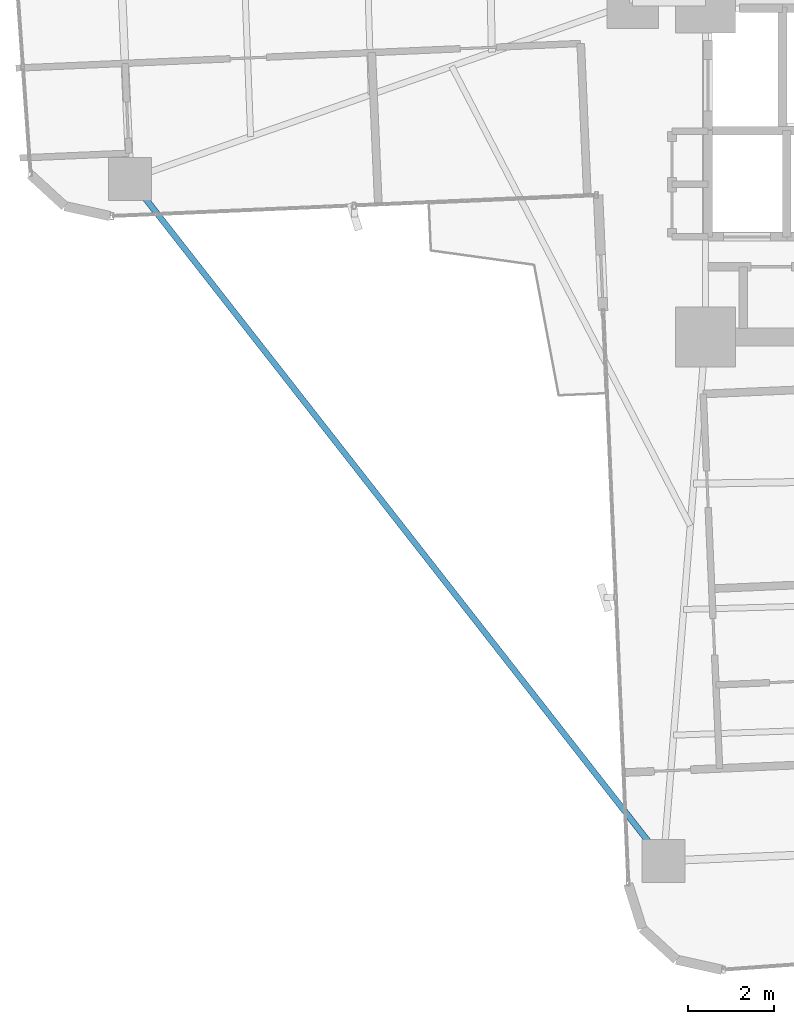
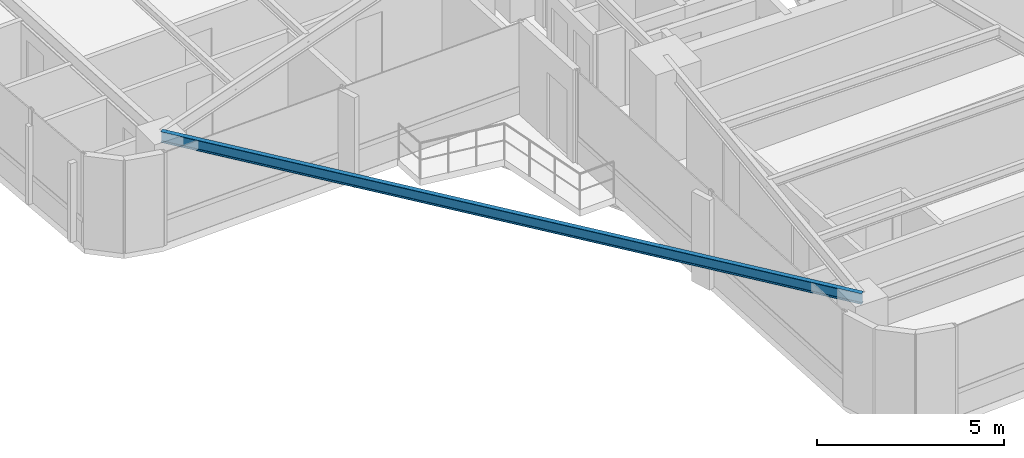
# One storey, part 3 of 26: 1 beam.
"""IFC4 building model written with IfcOpenShell, lengths in metres."""

from ifc_helpers import new_model, si_unit, direction, frame, origin, origin_2d, place, context, subcontext, project, spatial, i_section, extrude, source, transform, mapped, material, material_profile, profile_set, type_object, element, save


model = new_model("IFC4")

# Units and contexts
model_context = context("Model", 3, precision=1e-05, world=origin(), true_north=direction((0.0, 1.0)))
body_context = subcontext(model_context, "Body", "Model", "MODEL_VIEW")
ifc_project = project(units=[si_unit("LENGTHUNIT", "METRE"), si_unit("AREAUNIT", "SQUARE_METRE"), si_unit("VOLUMEUNIT", "CUBIC_METRE"), si_unit("PLANEANGLEUNIT", "RADIAN"), si_unit("MASSUNIT", "GRAM", prefix="KILO")], contexts=[model_context])

# Site, building, storey
site_placement = place(None, origin())
site = spatial("IfcSite", under=ifc_project, at=site_placement, CompositionType="ELEMENT")
building_placement = place(site_placement, origin())
building = spatial("IfcBuilding", under=site, at=building_placement, Name="Sahyath Konkavel Grand Hotel", CompositionType="ELEMENT")
storey_placement = place(building_placement, frame((0.0, 0.0, 134.89990234375)))
storey = spatial("IfcBuildingStorey", under=building, at=storey_placement, Name="L37", CompositionType="ELEMENT", Elevation=134.89990234375)

# Beam
ifc_material = material(Name="Steel E350", Category="steel")
ifc_material_profile = material_profile(ifc_material, i_section(OverallWidth=0.139892578125, OverallDepth=0.35009765625, WebThickness=0.008056640625, FlangeThickness=0.01416015625, FilletRadius=0.013916015625, at=origin_2d()), Name="ISMB 350")
ifc_profile_set = profile_set([ifc_material_profile], Name="Steel E350")
beam_type = type_object("IfcBeamType", Name="BM-ISMB350", PredefinedType="BEAM", material=ifc_profile_set)
shared_shape = source(origin(), body_context, "Body", "SweptSolid", [
    extrude(i_section(OverallWidth=0.139892578125, OverallDepth=0.35009765625, WebThickness=0.008056640625, FlangeThickness=0.01416015625, FilletRadius=0.013916015625, at=origin_2d()), origin(), (0.0, 0.0, 1.0), 20.215576171875),
])
beam_placement = place(storey_placement, frame((-17.232421875, -6.5078125, 2.85498046875), z_axis=(0.616176369687, -0.787608203004, 0.0), x_axis=(0.787608203004, 0.616176369687, 0.0)))
element("IfcBeam", 1, at=beam_placement, inside=storey, type_object=beam_type, Name="L37 Re-Entrant Tie Beam SW", PredefinedType="BEAM", context=body_context, shape_type="MappedRepresentation", body=[
    mapped(shared_shape, transform((0.0, 0.0, 0.0), scale=1.0)),
])

save(model, "model.ifc")
